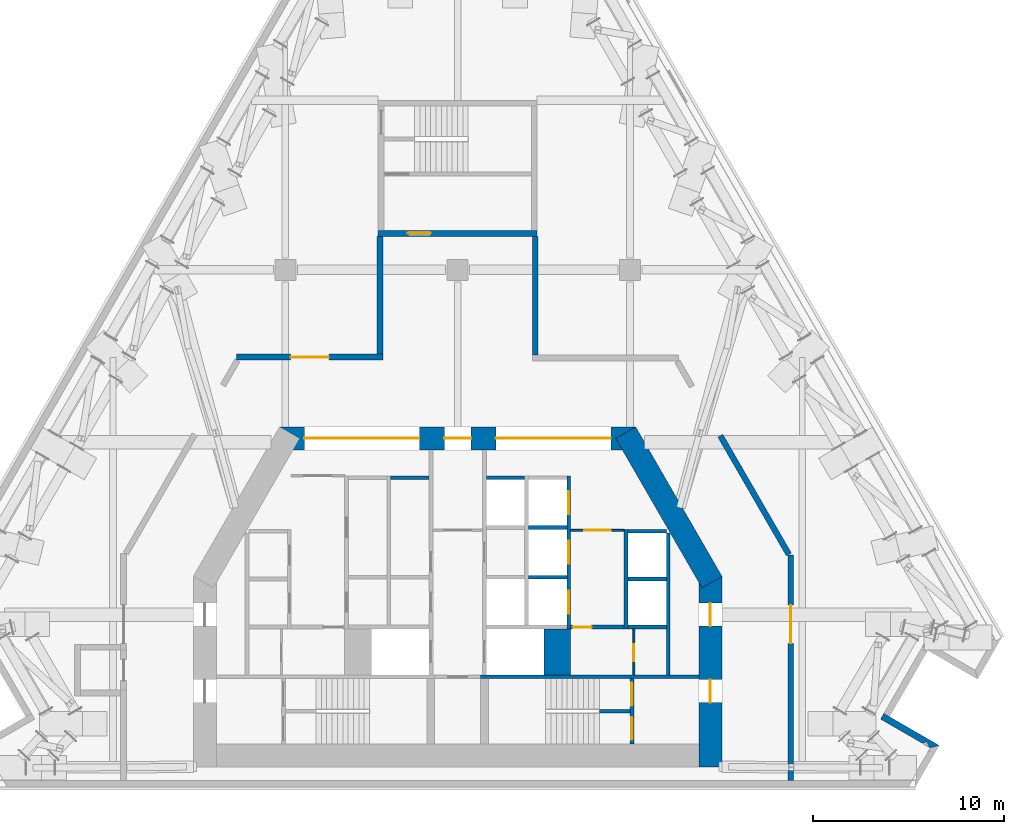
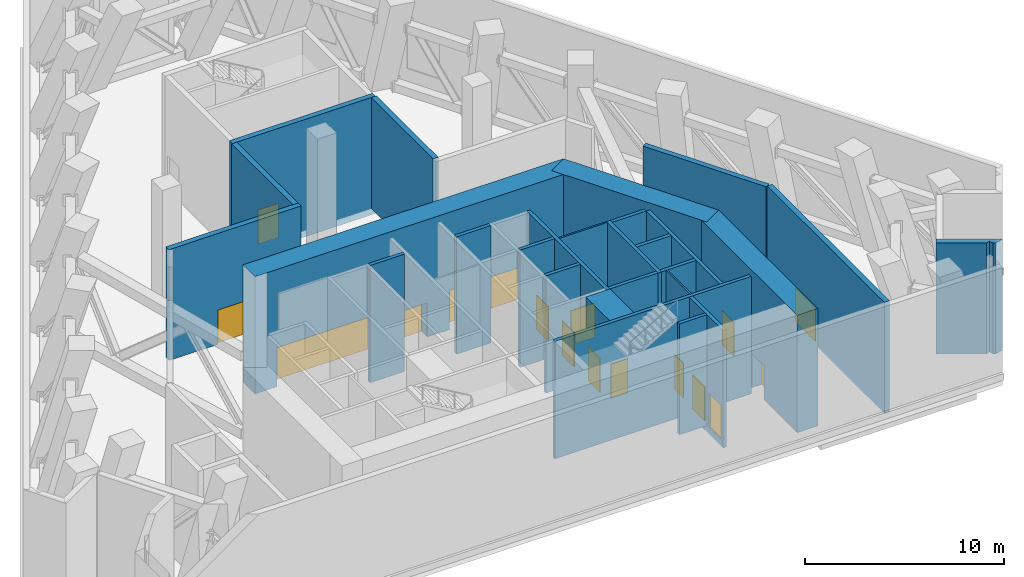
# One storey, part 7 of 13: 27 walls, 16 doors, 16 openings.
"""IFC4 building model written with IfcOpenShell, lengths in metres."""

from ifc_helpers import new_model, si_unit, direction, frame, frame_2d, origin, place, context, subcontext, project, spatial, polyline, rectangle, outline, extrude, material, layer, layer_set, type_object, element, fill, save


model = new_model("IFC4")

# Units and contexts
model_context = context("Model", 3, precision=1e-05, world=origin(), true_north=direction((0.0, 1.0)))
body_context = subcontext(model_context, "Body", "Model", "MODEL_VIEW")
ifc_project = project(units=[si_unit("LENGTHUNIT", "METRE"), si_unit("AREAUNIT", "SQUARE_METRE"), si_unit("VOLUMEUNIT", "CUBIC_METRE"), si_unit("PLANEANGLEUNIT", "RADIAN"), si_unit("MASSUNIT", "GRAM", prefix="KILO")], contexts=[model_context])

# Site, building, storey
site_placement = place(None, origin())
site = spatial("IfcSite", under=ifc_project, at=site_placement, CompositionType="ELEMENT")
building_placement = place(site_placement, origin())
building = spatial("IfcBuilding", under=site, at=building_placement, Name="Fogline Exchange Tower", CompositionType="ELEMENT")
storey_placement = place(building_placement, frame((0.0, 0.0, 174.89990234375)))
storey = spatial("IfcBuildingStorey", under=building, at=storey_placement, Name="L39", CompositionType="ELEMENT", Elevation=174.89990234375)

# Wall, opening, door
ifc_material_1 = material(Name="Blockwork partition", Category="masonry")
ifc_layer_1 = layer(ifc_material_1, 0.10009765625)
ifc_layer_set_1 = layer_set([ifc_layer_1], Name="CW10")
wall_type_1 = type_object("IfcWallType", Name="CW10", PredefinedType="PARTITIONING", material=ifc_layer_set_1)
wall_1_placement = place(storey_placement, frame((5.89990234375, 13.39990234375, 0.0), z_axis=(0.0, 0.0, 1.0), x_axis=(1.0, 0.0, 0.0)))
wall_1 = element("IfcWall", 1, at=wall_1_placement, inside=storey, type_object=wall_type_1, Name="Lift lobby partition", PredefinedType="PARTITIONING", context=body_context, shape_type="SweptSolid", body=[
    extrude(rectangle(XDim=2.800048828125, YDim=0.10009765625, at=frame_2d((1.39990234375, 0.0))), origin(), (0.0, 0.0, 1.0), 6.800048828125),
])
opening_1_placement = place(wall_1_placement, frame((0.699951171875, 0.0, 0.0)))
opening_1 = element("IfcOpeningElement", 2, at=opening_1_placement, cuts=wall_1, Name="Opening L39-C015", PredefinedType="OPENING", context=body_context, shape_type="SweptSolid", body=[
    extrude(rectangle(XDim=1.39990234375, YDim=2.10009765625, at=frame_2d((0.699951171875, 1.050048828125))), frame((0.0, 0.06005859375, 0.0), z_axis=(0.0, -1.0, 0.0), x_axis=(1.0, 0.0, 0.0)), (0.0, 0.0, 1.0), 0.1201171875),
])
ifc_material_2 = material(Name="Steel and timber fire door", Category="steel")
door_type_1 = type_object("IfcDoorType", Name="D-LB1", OperationType="DOUBLE_DOOR_SINGLE_SWING", PredefinedType="DOOR", material=ifc_material_2)
door_1_placement = place(opening_1_placement, frame((1.39990234375, 0.0, 0.0), z_axis=(0.0, 0.0, 1.0), x_axis=(-1.0, 0.0, 0.0)))
door_1 = element("IfcDoor", 3, at=door_1_placement, inside=storey, type_object=door_type_1, Name="Door to lift lobby", OperationType="DOUBLE_DOOR_SINGLE_SWING", OverallHeight=2.10009765625, OverallWidth=1.39990234375, PredefinedType="DOOR", context=body_context, shape_type="SweptSolid", body=[
    extrude(rectangle(XDim=1.39990234375, YDim=2.10009765625, at=frame_2d((0.699951171875, 1.050048828125))), frame((0.0, 0.02490234375, 0.0), z_axis=(0.0, -1.0, 0.0), x_axis=(1.0, 0.0, 0.0)), (0.0, 0.0, 1.0), 0.050048828125),
])
fill(opening_1, door_1)

wall_2_placement = place(storey_placement, frame((9.199951171875, 5.85009765625, 0.0), z_axis=(0.0, 0.0, 1.0), x_axis=(0.0, 1.0, 0.0)))
wall_2 = element("IfcWall", 4, at=wall_2_placement, inside=storey, type_object=wall_type_1, Name="WC partition", PredefinedType="PARTITIONING", context=body_context, shape_type="SweptSolid", body=[
    extrude(rectangle(XDim=2.39990234375, YDim=0.10009765625, at=frame_2d((1.199951171875, 0.0))), origin(), (0.0, 0.0, 1.0), 6.800048828125),
])
opening_2_placement = place(wall_2_placement, frame((0.699951171875, 0.0, 0.0)))
opening_2 = element("IfcOpeningElement", 5, at=opening_2_placement, cuts=wall_2, Name="Opening L39-C017", PredefinedType="OPENING", context=body_context, shape_type="SweptSolid", body=[
    extrude(rectangle(XDim=0.89990234375, YDim=2.10009765625, at=frame_2d((0.449951171875, 1.050048828125))), frame((0.0, 0.06005859375, 0.0), z_axis=(0.0, -1.0, 0.0), x_axis=(1.0, 0.0, 0.0)), (0.0, 0.0, 1.0), 0.1201171875),
])
door_type_2 = type_object("IfcDoorType", Name="D-CS1", OperationType="SINGLE_SWING_RIGHT", PredefinedType="DOOR", material=ifc_material_2)
door_2_placement = place(opening_2_placement, frame((0.89990234375, 0.0, 0.0), z_axis=(0.0, 0.0, 1.0), x_axis=(-1.0, 0.0, 0.0)))
door_2 = element("IfcDoor", 6, at=door_2_placement, inside=storey, type_object=door_type_2, Name="Door to AHU Room", OperationType="SINGLE_SWING_RIGHT", OverallHeight=2.10009765625, OverallWidth=0.89990234375, PredefinedType="DOOR", context=body_context, shape_type="SweptSolid", body=[
    extrude(rectangle(XDim=0.89990234375, YDim=2.10009765625, at=frame_2d((0.449951171875, 1.050048828125))), frame((0.0, 0.02490234375, 0.0), z_axis=(0.0, -1.0, 0.0), x_axis=(1.0, 0.0, 0.0)), (0.0, 0.0, 1.0), 0.050048828125),
])
fill(opening_2, door_2)

# Walls
ifc_material_3 = material(Name="Concrete C60", Category="concrete")
ifc_layer_2 = layer(ifc_material_3, 1.39990234375)
ifc_layer_set_2 = layer_set([ifc_layer_2], Name="CW140")
wall_type_2 = type_object("IfcWallType", Name="CW140", PredefinedType="SOLIDWALL", material=ifc_layer_set_2)
wall_3_placement = place(storey_placement, frame((5.199951171875, 5.85009765625, -0.39990234375), z_axis=(0.0, 0.0, 1.0), x_axis=(0.0, 1.0, 0.0)))
element("IfcWall", 7, at=wall_3_placement, inside=storey, type_object=wall_type_2, Name="Lift shaft block wall", PredefinedType="SOLIDWALL", context=body_context, shape_type="SweptSolid", body=[
    extrude(rectangle(XDim=2.39990234375, YDim=1.39990234375, at=frame_2d((1.199951171875, 0.0))), origin(), (0.0, 0.0, 1.0), 7.199951171875),
])
ifc_material_4 = material(Name="Concrete C40", Category="concrete")
ifc_layer_3 = layer(ifc_material_4, 0.199951171875)
ifc_layer_set_3 = layer_set([ifc_layer_3], Name="CW20")
wall_type_3 = type_object("IfcWallType", Name="CW20", PredefinedType="SOLIDWALL", material=ifc_layer_set_3)
wall_4_placement = place(storey_placement, frame((11.0, 5.85009765625, 0.0), z_axis=(0.0, 0.0, 1.0), x_axis=(0.0, 1.0, 0.0)))
element("IfcWall", 8, at=wall_4_placement, inside=storey, type_object=wall_type_3, Name="Service room wall", PredefinedType="SOLIDWALL", context=body_context, shape_type="SweptSolid", body=[
    extrude(rectangle(XDim=7.39990234375, YDim=0.199951171875, at=frame_2d((3.699951171875, 0.0))), origin(), (0.0, 0.0, 1.0), 6.800048828125),
])

# Wall, opening, door
wall_5_placement = place(storey_placement, frame((5.89990234375, 8.35009765625, 0.0), z_axis=(0.0, 0.0, 1.0), x_axis=(1.0, 0.0, 0.0)))
wall_5 = element("IfcWall", 9, at=wall_5_placement, inside=storey, type_object=wall_type_3, Name="WC wall", PredefinedType="SOLIDWALL", context=body_context, shape_type="SweptSolid", body=[
    extrude(rectangle(XDim=2.800048828125, YDim=0.199951171875, at=frame_2d((1.39990234375, 0.0))), origin(), (0.0, 0.0, 1.0), 6.800048828125),
])
opening_3_placement = place(wall_5_placement, frame((0.10009765625, 0.0, 0.0)))
opening_3 = element("IfcOpeningElement", 10, at=opening_3_placement, cuts=wall_5, Name="Opening L39-C016", PredefinedType="OPENING", context=body_context, shape_type="SweptSolid", body=[
    extrude(rectangle(XDim=1.0, YDim=2.10009765625, at=frame_2d((0.5, 1.050048828125))), frame((0.0, 0.10986328125, 0.0), z_axis=(0.0, -1.0, 0.0), x_axis=(1.0, 0.0, 0.0)), (0.0, 0.0, 1.0), 0.219970703125),
])
door_type_3 = type_object("IfcDoorType", Name="D-WC1", OperationType="SINGLE_SWING_LEFT", PredefinedType="DOOR", material=ifc_material_2)
door_3_placement = place(opening_3_placement, frame((1.0, 0.0, 0.0), z_axis=(0.0, 0.0, 1.0), x_axis=(-1.0, 0.0, 0.0)))
door_3 = element("IfcDoor", 11, at=door_3_placement, inside=storey, type_object=door_type_3, Name="Door to Women's WC", OperationType="SINGLE_SWING_RIGHT", OverallHeight=2.10009765625, OverallWidth=1.0, PredefinedType="DOOR", context=body_context, shape_type="SweptSolid", body=[
    extrude(rectangle(XDim=1.0, YDim=2.10009765625, at=frame_2d((0.5, 1.050048828125))), frame((0.0, 0.02490234375, 0.0), z_axis=(0.0, -1.0, 0.0), x_axis=(1.0, 0.0, 0.0)), (0.0, 0.0, 1.0), 0.050048828125),
])
fill(opening_3, door_3)

# Walls
ifc_layer_4 = layer(ifc_material_4, 0.199951171875)
ifc_layer_set_4 = layer_set([ifc_layer_4], Name="CW20B")
wall_type_4 = type_object("IfcWallType", Name="CW20B", PredefinedType="SOLIDWALL", material=ifc_layer_set_4)
wall_6_placement = place(storey_placement, frame((7.39990234375, 3.949951171875, 0.0), z_axis=(0.0, 0.0, 1.0), x_axis=(1.0, 0.0, 0.0)))
element("IfcWall", 12, at=wall_6_placement, inside=storey, type_object=wall_type_4, Name="Stair separation wall", PredefinedType="SOLIDWALL", context=body_context, shape_type="SweptSolid", body=[
    extrude(rectangle(XDim=1.60009765625, YDim=0.199951171875, at=frame_2d((0.800048828125, 0.0))), origin(), (0.0, 0.0, 1.0), 6.800048828125),
])
ifc_layer_5 = layer(ifc_material_4, 0.199951171875)
ifc_layer_set_5 = layer_set([ifc_layer_5], Name="CW20R")
wall_type_5 = type_object("IfcWallType", Name="CW20R", PredefinedType="SOLIDWALL", material=ifc_layer_set_5)
wall_7_placement = place(storey_placement, frame((1.199951171875, 5.75, -0.39990234375), z_axis=(0.0, 0.0, 1.0), x_axis=(1.0, 0.0, 0.0)))
element("IfcWall", 13, at=wall_7_placement, inside=storey, type_object=wall_type_5, Name="Stair enclosure wall", PredefinedType="SOLIDWALL", context=body_context, shape_type="SweptSolid", body=[
    extrude(rectangle(XDim=11.400146484375, YDim=0.199951171875, at=frame_2d((5.7001953125, 0.0))), origin(), (0.0, 0.0, 1.0), 7.199951171875),
])

# Wall, openings, doors
wall_8_placement = place(storey_placement, frame((9.10009765625, 2.25, -0.39990234375), z_axis=(0.0, 0.0, 1.0), x_axis=(0.0, 1.0, 0.0)))
wall_8 = element("IfcWall", 14, at=wall_8_placement, inside=storey, type_object=wall_type_5, Name="Stair enclosure wall", PredefinedType="SOLIDWALL", context=body_context, shape_type="SweptSolid", body=[
    extrude(rectangle(XDim=3.39990234375, YDim=0.199951171875, at=frame_2d((1.699951171875, 0.0))), origin(), (0.0, 0.0, 1.0), 7.199951171875),
])
opening_4_placement = place(wall_8_placement, frame((0.199951171875, 0.0, 0.39990234375)))
opening_4 = element("IfcOpeningElement", 15, at=opening_4_placement, cuts=wall_8, Name="Opening L39-C019", PredefinedType="OPENING", context=body_context, shape_type="SweptSolid", body=[
    extrude(rectangle(XDim=1.199951171875, YDim=2.10009765625, at=frame_2d((0.60009765625, 1.050048828125))), frame((0.0, 0.10986328125, 0.0), z_axis=(0.0, -1.0, 0.0), x_axis=(1.0, 0.0, 0.0)), (0.0, 0.0, 1.0), 0.219970703125),
])
opening_5_placement = place(wall_8_placement, frame((2.0, 0.0, 0.39990234375)))
opening_5 = element("IfcOpeningElement", 16, at=opening_5_placement, cuts=wall_8, Name="Opening L39-C026", PredefinedType="OPENING", context=body_context, shape_type="SweptSolid", body=[
    extrude(rectangle(XDim=1.199951171875, YDim=2.10009765625, at=frame_2d((0.60009765625, 1.050048828125))), frame((0.0, 0.10986328125, 0.0), z_axis=(0.0, -1.0, 0.0), x_axis=(1.0, 0.0, 0.0)), (0.0, 0.0, 1.0), 0.219970703125),
])
door_type_4 = type_object("IfcDoorType", Name="D-ST1", OperationType="SINGLE_SWING_LEFT", PredefinedType="DOOR", material=ifc_material_2)
door_4_placement = place(opening_4_placement, origin())
door_4 = element("IfcDoor", 17, at=door_4_placement, inside=storey, type_object=door_type_4, Name="Stair door ST2", OperationType="SINGLE_SWING_LEFT", OverallHeight=2.10009765625, OverallWidth=1.199951171875, PredefinedType="DOOR", context=body_context, shape_type="SweptSolid", body=[
    extrude(rectangle(XDim=1.199951171875, YDim=2.10009765625, at=frame_2d((0.60009765625, 1.050048828125))), frame((0.0, 0.02490234375, 0.0), z_axis=(0.0, -1.0, 0.0), x_axis=(1.0, 0.0, 0.0)), (0.0, 0.0, 1.0), 0.050048828125),
])
fill(opening_4, door_4)
door_5_placement = place(opening_5_placement, frame((1.199951171875, 0.0, 0.0), z_axis=(0.0, 0.0, 1.0), x_axis=(-1.0, 0.0, 0.0)))
door_5 = element("IfcDoor", 18, at=door_5_placement, inside=storey, type_object=door_type_4, Name="Stair arrival door ST2", OperationType="SINGLE_SWING_LEFT", OverallHeight=2.10009765625, OverallWidth=1.199951171875, PredefinedType="DOOR", context=body_context, shape_type="SweptSolid", body=[
    extrude(rectangle(XDim=1.199951171875, YDim=2.10009765625, at=frame_2d((0.60009765625, 1.050048828125))), frame((0.0, 0.02490234375, 0.0), z_axis=(0.0, -1.0, 0.0), x_axis=(1.0, 0.0, 0.0)), (0.0, 0.0, 1.0), 0.050048828125),
])
fill(opening_5, door_5)

# Wall
ifc_layer_6 = layer(ifc_material_4, 0.199951171875)
ifc_layer_set_6 = layer_set([ifc_layer_6], Name="CW20S")
wall_type_6 = type_object("IfcWallType", Name="CW20S", PredefinedType="SOLIDWALL", material=ifc_layer_set_6)
wall_9_placement = place(storey_placement, frame((8.800048828125, 8.25, -0.39990234375), z_axis=(0.0, 0.0, 1.0), x_axis=(0.0, 1.0, 0.0)))
element("IfcWall", 19, at=wall_9_placement, inside=storey, type_object=wall_type_6, Name="Lift shaft wall", PredefinedType="SOLIDWALL", context=body_context, shape_type="SweptSolid", body=[
    extrude(rectangle(XDim=5.199951171875, YDim=0.199951171875, at=frame_2d((2.60009765625, 0.0))), origin(), (0.0, 0.0, 1.0), 7.199951171875),
])

# Wall, openings, doors
wall_10_placement = place(storey_placement, frame((5.800048828125, 8.25, -0.39990234375), z_axis=(0.0, 0.0, 1.0), x_axis=(0.0, 1.0, 0.0)))
wall_10 = element("IfcWall", 20, at=wall_10_placement, inside=storey, type_object=wall_type_6, Name="Lift shaft wall", PredefinedType="SOLIDWALL", context=body_context, shape_type="SweptSolid", body=[
    extrude(rectangle(XDim=8.0, YDim=0.199951171875, at=frame_2d((4.0, 0.0))), origin(), (0.0, 0.0, 1.0), 7.199951171875),
])
opening_6_placement = place(wall_10_placement, frame((0.800048828125, 0.0, 0.39990234375)))
opening_6 = element("IfcOpeningElement", 21, at=opening_6_placement, cuts=wall_10, Name="Opening L39-LD02", PredefinedType="OPENING", context=body_context, shape_type="SweptSolid", body=[
    extrude(rectangle(XDim=1.199951171875, YDim=2.10009765625, at=frame_2d((0.60009765625, 1.050048828125))), frame((0.0, 0.10986328125, 0.0), z_axis=(0.0, -1.0, 0.0), x_axis=(1.0, 0.0, 0.0)), (0.0, 0.0, 1.0), 0.219970703125),
])
opening_7_placement = place(wall_10_placement, frame((3.39990234375, 0.0, 0.39990234375)))
opening_7 = element("IfcOpeningElement", 22, at=opening_7_placement, cuts=wall_10, Name="Opening L39-LD03", PredefinedType="OPENING", context=body_context, shape_type="SweptSolid", body=[
    extrude(rectangle(XDim=1.199951171875, YDim=2.10009765625, at=frame_2d((0.60009765625, 1.050048828125))), frame((0.0, 0.10986328125, 0.0), z_axis=(0.0, -1.0, 0.0), x_axis=(1.0, 0.0, 0.0)), (0.0, 0.0, 1.0), 0.219970703125),
])
opening_8_placement = place(wall_10_placement, frame((6.0, 0.0, 0.39990234375)))
opening_8 = element("IfcOpeningElement", 23, at=opening_8_placement, cuts=wall_10, Name="Opening L39-LD04", PredefinedType="OPENING", context=body_context, shape_type="SweptSolid", body=[
    extrude(rectangle(XDim=1.199951171875, YDim=2.10009765625, at=frame_2d((0.60009765625, 1.050048828125))), frame((0.0, 0.10986328125, 0.0), z_axis=(0.0, -1.0, 0.0), x_axis=(1.0, 0.0, 0.0)), (0.0, 0.0, 1.0), 0.219970703125),
])
door_type_5 = type_object("IfcDoorType", Name="LD1", OperationType="SLIDING_TO_LEFT", PredefinedType="DOOR", material=ifc_material_2)
door_6_placement = place(opening_6_placement, origin())
door_6 = element("IfcDoor", 24, at=door_6_placement, inside=storey, type_object=door_type_5, Name="Landing door MR1", OperationType="SLIDING_TO_LEFT", OverallHeight=2.10009765625, OverallWidth=1.199951171875, PredefinedType="DOOR", context=body_context, shape_type="SweptSolid", body=[
    extrude(rectangle(XDim=1.199951171875, YDim=2.10009765625, at=frame_2d((0.60009765625, 1.050048828125))), frame((0.0, 0.02490234375, 0.0), z_axis=(0.0, -1.0, 0.0), x_axis=(1.0, 0.0, 0.0)), (0.0, 0.0, 1.0), 0.050048828125),
])
fill(opening_6, door_6)
door_7_placement = place(opening_7_placement, origin())
door_7 = element("IfcDoor", 25, at=door_7_placement, inside=storey, type_object=door_type_5, Name="Landing door MR2", OperationType="SLIDING_TO_LEFT", OverallHeight=2.10009765625, OverallWidth=1.199951171875, PredefinedType="DOOR", context=body_context, shape_type="SweptSolid", body=[
    extrude(rectangle(XDim=1.199951171875, YDim=2.10009765625, at=frame_2d((0.60009765625, 1.050048828125))), frame((0.0, 0.02490234375, 0.0), z_axis=(0.0, -1.0, 0.0), x_axis=(1.0, 0.0, 0.0)), (0.0, 0.0, 1.0), 0.050048828125),
])
fill(opening_7, door_7)
door_8_placement = place(opening_8_placement, origin())
door_8 = element("IfcDoor", 26, at=door_8_placement, inside=storey, type_object=door_type_5, Name="Landing door MR3", OperationType="SLIDING_TO_LEFT", OverallHeight=2.10009765625, OverallWidth=1.199951171875, PredefinedType="DOOR", context=body_context, shape_type="SweptSolid", body=[
    extrude(rectangle(XDim=1.199951171875, YDim=2.10009765625, at=frame_2d((0.60009765625, 1.050048828125))), frame((0.0, 0.02490234375, 0.0), z_axis=(0.0, -1.0, 0.0), x_axis=(1.0, 0.0, 0.0)), (0.0, 0.0, 1.0), 0.050048828125),
])
fill(opening_8, door_8)

# Walls
for number, where, z_axis, x_axis, name in (
    (27, (8.89990234375, 8.35009765625, -0.39990234375), (0.0, 0.0, 1.0), (1.0, 0.0, 0.0), "Lift shaft wall"),
    (28, (-3.5, 16.14990234375, -0.39990234375), (0.0, 0.0, 1.0), (1.0, 0.0, 0.0), "Lift shaft wall"),
    (29, (8.89990234375, 10.85009765625, -0.39990234375), (0.0, 0.0, 1.0), (1.0, 0.0, 0.0), "Lift shaft wall"),
    (30, (8.89990234375, 13.35009765625, -0.39990234375), (0.0, 0.0, 1.0), (1.0, 0.0, 0.0), "Lift shaft wall"),
    (31, (3.699951171875, 10.949951171875, -0.39990234375), (0.0, 0.0, 1.0), (1.0, 0.0, 0.0), "Lift shaft wall"),
    (32, (3.699951171875, 13.550048828125, -0.39990234375), (0.0, 0.0, 1.0), (1.0, 0.0, 0.0), "Lift shaft wall"),
    (33, (1.5, 16.14990234375, -0.39990234375), (0.0, 0.0, 1.0), (1.0, 0.0, 0.0), "Lift shaft wall"),
):
    element("IfcWall", number, at=place(storey_placement, frame(where, z_axis=z_axis, x_axis=x_axis)), inside=storey, type_object=wall_type_6, Name=name, PredefinedType="SOLIDWALL", context=body_context, shape_type="SweptSolid", body=[
        extrude(rectangle(XDim=2.0, YDim=0.199951171875, at=frame_2d((1.0, 0.0))), origin(), (0.0, 0.0, 1.0), 7.199951171875),
    ])

# Wall, opening, door
ifc_layer_7 = layer(ifc_material_4, 0.300048828125)
ifc_layer_set_7 = layer_set([ifc_layer_7], Name="CW30")
wall_type_7 = type_object("IfcWallType", Name="CW30", PredefinedType="SOLIDWALL", material=ifc_layer_set_7)
wall_11_placement = place(storey_placement, frame((-4.14990234375, 28.906982421875, -0.39990234375), z_axis=(0.0, 0.0, 1.0), x_axis=(1.0, 0.0, 0.0)))
wall_11 = element("IfcWall", 34, at=wall_11_placement, inside=storey, type_object=wall_type_7, Name="Stair enclosure wall ST3", PredefinedType="SOLIDWALL", context=body_context, shape_type="SweptSolid", body=[
    extrude(rectangle(XDim=8.2998046875, YDim=0.300048828125, at=frame_2d((4.14990234375, 0.0))), origin(), (0.0, 0.0, 1.0), 7.199951171875),
])
opening_9_placement = place(wall_11_placement, frame((1.550048828125, 0.0, 0.39990234375)))
opening_9 = element("IfcOpeningElement", 35, at=opening_9_placement, cuts=wall_11, Name="Opening L39-C027", PredefinedType="OPENING", context=body_context, shape_type="SweptSolid", body=[
    extrude(rectangle(XDim=1.199951171875, YDim=2.10009765625, at=frame_2d((0.60009765625, 1.050048828125))), frame((0.0, 0.16015625, 0.0), z_axis=(0.0, -1.0, 0.0), x_axis=(1.0, 0.0, 0.0)), (0.0, 0.0, 1.0), 0.320068359375),
])
door_type_6 = type_object("IfcDoorType", Name="D-FR1", OperationType="SINGLE_SWING_RIGHT", PredefinedType="DOOR", material=ifc_material_2)
door_9_placement = place(opening_9_placement, origin())
door_9 = element("IfcDoor", 36, at=door_9_placement, inside=storey, type_object=door_type_6, Name="Front room door ST3", OperationType="SINGLE_SWING_LEFT", OverallHeight=2.10009765625, OverallWidth=1.199951171875, PredefinedType="DOOR", context=body_context, shape_type="SweptSolid", body=[
    extrude(rectangle(XDim=1.199951171875, YDim=2.10009765625, at=frame_2d((0.60009765625, 1.050048828125))), frame((0.0, 0.02490234375, 0.0), z_axis=(0.0, -1.0, 0.0), x_axis=(1.0, 0.0, 0.0)), (0.0, 0.0, 1.0), 0.050048828125),
])
fill(opening_9, door_9)

# Wall
ifc_material_5 = material(Name="Brick masonry", Category="masonry")
ifc_layer_8 = layer(ifc_material_5, 0.340087890625)
ifc_layer_set_8 = layer_set([ifc_layer_8], Name="FW3")
wall_type_8 = type_object("IfcWallType", Name="FW3", PredefinedType="SOLIDWALL", material=ifc_layer_set_8)
wall_12_placement = place(storey_placement, origin())
element("IfcWall", 37, at=wall_12_placement, inside=storey, type_object=wall_type_8, Name="Brick wall L39 SE-s1", PredefinedType="SOLIDWALL", context=body_context, shape_type="SweptSolid", body=[
    extrude(outline(polyline([(22.260986328125, 3.8359375), (22.555908203125, 3.66552734375), (25.155029296875, 2.1650390625), (25.15478515625, 2.164794921875), (24.689208984375, 2.0400390625), (24.58056640625, 2.1025390625), (24.5048828125, 2.341796875), (24.2861328125, 2.272705078125), (22.09033203125, 3.540283203125), (22.260986328125, 3.8359375)])), origin(), (0.0, 0.0, 1.0), 6.800048828125),
])

# Wall, opening, door
ifc_layer_9 = layer(ifc_material_4, 0.300048828125)
ifc_layer_set_9 = layer_set([ifc_layer_9], Name="PP4")
wall_type_9 = type_object("IfcWallType", Name="PP4", PredefinedType="SOLIDWALL", material=ifc_layer_set_9)
wall_13_placement = place(storey_placement, frame((17.39990234375, 12.113525390625, 0.0), z_axis=(0.0, 0.0, 1.0), x_axis=(0.0, -1.0, 0.0)))
wall_13 = element("IfcWall", 38, at=wall_13_placement, inside=storey, type_object=wall_type_9, Name="PP4 partition", PredefinedType="SOLIDWALL", context=body_context, shape_type="SweptSolid", body=[
    extrude(rectangle(XDim=11.7734375, YDim=0.300048828125, at=frame_2d((5.88671875, 0.0))), origin(), (0.0, 0.0, 1.0), 6.800048828125),
])
opening_10_placement = place(wall_13_placement, frame((2.613525390625, 0.0, 0.0)))
opening_10 = element("IfcOpeningElement", 39, at=opening_10_placement, cuts=wall_13, Name="Opening L39-D004", PredefinedType="OPENING", context=body_context, shape_type="SweptSolid", body=[
    extrude(rectangle(XDim=2.0, YDim=2.10009765625, at=frame_2d((1.0, 1.050048828125))), frame((0.0, 0.16015625, 0.0), z_axis=(0.0, -1.0, 0.0), x_axis=(1.0, 0.0, 0.0)), (0.0, 0.0, 1.0), 0.320068359375),
])
ifc_material_6 = material(Name="Steel Q235B", Category="steel")
door_type_7 = type_object("IfcDoorType", Name="PD6", OperationType="DOUBLE_DOOR_SINGLE_SWING", PredefinedType="DOOR", material=ifc_material_6)
door_10_placement = place(opening_10_placement, frame((2.0, 0.0, 0.0), z_axis=(0.0, 0.0, 1.0), x_axis=(-1.0, 0.0, 0.0)))
door_10 = element("IfcDoor", 40, at=door_10_placement, inside=storey, type_object=door_type_7, Name="L39-D004", OperationType="DOUBLE_DOOR_SINGLE_SWING", OverallHeight=2.10009765625, OverallWidth=2.0, PredefinedType="DOOR", context=body_context, shape_type="SweptSolid", body=[
    extrude(rectangle(XDim=2.0, YDim=2.10009765625, at=frame_2d((1.0, 1.050048828125))), frame((0.0, 0.02490234375, 0.0), z_axis=(0.0, -1.0, 0.0), x_axis=(1.0, 0.0, 0.0)), (0.0, 0.0, 1.0), 0.050048828125),
])
fill(opening_10, door_10)

wall_14_placement = place(storey_placement, frame((-11.553466796875, 22.449951171875, 0.0), z_axis=(0.0, 0.0, 1.0), x_axis=(1.0, 0.0, 0.0)))
wall_14 = element("IfcWall", 41, at=wall_14_placement, inside=storey, type_object=wall_type_9, Name="PP4 partition", PredefinedType="SOLIDWALL", context=body_context, shape_type="SweptSolid", body=[
    extrude(rectangle(XDim=7.653564453125, YDim=0.300048828125, at=frame_2d((3.82666015625, 0.0))), origin(), (0.0, 0.0, 1.0), 6.800048828125),
])
opening_11_placement = place(wall_14_placement, frame((2.82666015625, 0.0, 0.0)))
opening_11 = element("IfcOpeningElement", 42, at=opening_11_placement, cuts=wall_14, Name="Opening L39-D002", PredefinedType="OPENING", context=body_context, shape_type="SweptSolid", body=[
    extrude(rectangle(XDim=2.0, YDim=2.10009765625, at=frame_2d((1.0, 1.050048828125))), frame((0.0, 0.16015625, 0.0), z_axis=(0.0, -1.0, 0.0), x_axis=(1.0, 0.0, 0.0)), (0.0, 0.0, 1.0), 0.320068359375),
])
door_11_placement = place(opening_11_placement, frame((2.0, 0.0, 0.0), z_axis=(0.0, 0.0, 1.0), x_axis=(-1.0, 0.0, 0.0)))
door_11 = element("IfcDoor", 43, at=door_11_placement, inside=storey, type_object=door_type_7, Name="L39-D002", OperationType="DOUBLE_DOOR_SINGLE_SWING", OverallHeight=2.10009765625, OverallWidth=2.0, PredefinedType="DOOR", context=body_context, shape_type="SweptSolid", body=[
    extrude(rectangle(XDim=2.0, YDim=2.10009765625, at=frame_2d((1.0, 1.050048828125))), frame((0.0, 0.02490234375, 0.0), z_axis=(0.0, -1.0, 0.0), x_axis=(1.0, 0.0, 0.0)), (0.0, 0.0, 1.0), 0.050048828125),
])
fill(opening_11, door_11)

# Walls
wall_15_placement = place(storey_placement, frame((13.718017578125, 18.341064453125, 0.0), z_axis=(0.0, 0.0, 1.0), x_axis=(0.500004857339, -0.86602259938, 0.0)))
element("IfcWall", 44, at=wall_15_placement, inside=storey, type_object=wall_type_9, Name="PP4 partition", PredefinedType="SOLIDWALL", context=body_context, shape_type="SweptSolid", body=[
    extrude(rectangle(XDim=7.1591796875, YDim=0.300048828125, at=frame_2d((3.57958984375, 0.0))), origin(), (0.0, 0.0, 1.0), 6.800048828125),
])
wall_16_placement = place(storey_placement, frame((4.050048828125, 28.757080078125, 0.0), z_axis=(0.0, 0.0, 1.0), x_axis=(0.0, -1.0, 0.0)))
element("IfcWall", 45, at=wall_16_placement, inside=storey, type_object=wall_type_9, Name="PP4 partition", PredefinedType="SOLIDWALL", context=body_context, shape_type="SweptSolid", body=[
    extrude(rectangle(XDim=6.20703125, YDim=0.300048828125, at=frame_2d((3.103515625, 0.0))), origin(), (0.0, 0.0, 1.0), 6.800048828125),
])
wall_17_placement = place(storey_placement, frame((-4.050048828125, 22.60009765625, 0.0), z_axis=(0.0, 0.0, 1.0), x_axis=(0.0, 1.0, 0.0)))
element("IfcWall", 46, at=wall_17_placement, inside=storey, type_object=wall_type_9, Name="PP4 partition", PredefinedType="SOLIDWALL", context=body_context, shape_type="SweptSolid", body=[
    extrude(rectangle(XDim=6.156982421875, YDim=0.300048828125, at=frame_2d((3.07861328125, 0.0))), origin(), (0.0, 0.0, 1.0), 6.800048828125),
])

# Wall, openings, doors
ifc_layer_10 = layer(ifc_material_3, 1.199951171875)
ifc_layer_set_10 = layer_set([ifc_layer_10], Name="SW02")
wall_type_10 = type_object("IfcWallType", Name="SW02", PredefinedType="SHEAR", material=ifc_layer_set_10)
wall_18_placement = place(storey_placement, frame((13.199951171875, 1.050048828125, 0.0), z_axis=(0.0, 0.0, 1.0), x_axis=(0.0, 1.0, 0.0)))
wall_18 = element("IfcWall", 47, at=wall_18_placement, inside=storey, type_object=wall_type_10, Name="L39-W902", PredefinedType="SHEAR", context=body_context, shape_type="SweptSolid", body=[
    extrude(rectangle(XDim=9.948974609375, YDim=1.199951171875, at=frame_2d((4.974609375, 0.0))), origin(), (0.0, 0.0, 1.0), 7.2001953125),
])
opening_12_placement = place(wall_18_placement, frame((3.35009765625, 0.0, 0.0)))
opening_12 = element("IfcOpeningElement", 48, at=opening_12_placement, cuts=wall_18, Name="Opening L39-C018", PredefinedType="OPENING", context=body_context, shape_type="SweptSolid", body=[
    extrude(rectangle(XDim=1.199951171875, YDim=2.10009765625, at=frame_2d((0.60009765625, 1.050048828125))), frame((0.0, 0.60986328125, 0.0), z_axis=(0.0, -1.0, 0.0), x_axis=(1.0, 0.0, 0.0)), (0.0, 0.0, 1.0), 1.219970703125),
])
opening_13_placement = place(wall_18_placement, frame((7.35009765625, 0.0, 0.0)))
opening_13 = element("IfcOpeningElement", 49, at=opening_13_placement, cuts=wall_18, Name="Opening L39-C020", PredefinedType="OPENING", context=body_context, shape_type="SweptSolid", body=[
    extrude(rectangle(XDim=1.199951171875, YDim=2.10009765625, at=frame_2d((0.60009765625, 1.050048828125))), frame((0.0, 0.60986328125, 0.0), z_axis=(0.0, -1.0, 0.0), x_axis=(1.0, 0.0, 0.0)), (0.0, 0.0, 1.0), 1.219970703125),
])
door_12_placement = place(opening_12_placement, origin())
door_12 = element("IfcDoor", 50, at=door_12_placement, inside=storey, type_object=door_type_6, Name="Front room door ST2", OperationType="SINGLE_SWING_RIGHT", OverallHeight=2.10009765625, OverallWidth=1.199951171875, PredefinedType="DOOR", context=body_context, shape_type="SweptSolid", body=[
    extrude(rectangle(XDim=1.199951171875, YDim=2.10009765625, at=frame_2d((0.60009765625, 1.050048828125))), frame((0.0, 0.02490234375, 0.0), z_axis=(0.0, -1.0, 0.0), x_axis=(1.0, 0.0, 0.0)), (0.0, 0.0, 1.0), 0.050048828125),
])
fill(opening_12, door_12)
door_type_8 = type_object("IfcDoorType", Name="D-SV1", OperationType="SINGLE_SWING_LEFT", PredefinedType="DOOR", material=ifc_material_2)
door_13_placement = place(opening_13_placement, origin())
door_13 = element("IfcDoor", 51, at=door_13_placement, inside=storey, type_object=door_type_8, Name="Service door E", OperationType="SINGLE_SWING_RIGHT", OverallHeight=2.10009765625, OverallWidth=1.199951171875, PredefinedType="DOOR", context=body_context, shape_type="SweptSolid", body=[
    extrude(rectangle(XDim=1.199951171875, YDim=2.10009765625, at=frame_2d((0.60009765625, 1.050048828125))), frame((0.0, 0.02490234375, 0.0), z_axis=(0.0, -1.0, 0.0), x_axis=(1.0, 0.0, 0.0)), (0.0, 0.0, 1.0), 0.050048828125),
])
fill(opening_13, door_13)

# Wall
wall_19_placement = place(storey_placement, frame((13.280517578125, 10.698974609375, 0.0), z_axis=(0.0, 0.0, 1.0), x_axis=(-0.499998513025, 0.866026262288, 0.0)))
element("IfcWall", 52, at=wall_19_placement, inside=storey, type_object=wall_type_10, Name="L39-W903", PredefinedType="SHEAR", context=body_context, shape_type="SweptSolid", body=[
    extrude(rectangle(XDim=9.0078125, YDim=1.199951171875, at=frame_2d((4.50390625, 0.0))), origin(), (0.0, 0.0, 1.0), 7.2001953125),
])

# Wall, openings, doors
wall_20_placement = place(storey_placement, frame((9.296142578125, 18.199951171875, 0.0), z_axis=(0.0, 0.0, 1.0), x_axis=(-1.0, 0.0, 0.0)))
wall_20 = element("IfcWall", 53, at=wall_20_placement, inside=storey, type_object=wall_type_10, Name="L39-W904", PredefinedType="SHEAR", context=body_context, shape_type="SweptSolid", body=[
    extrude(rectangle(XDim=18.59228515625, YDim=1.199951171875, at=frame_2d((9.296142578125, 0.0))), origin(), (0.0, 0.0, 1.0), 7.2001953125),
])
opening_14_placement = place(wall_20_placement, frame((8.59619140625, 0.0, 0.0)))
opening_14 = element("IfcOpeningElement", 54, at=opening_14_placement, cuts=wall_20, Name="Opening L39-C022", PredefinedType="OPENING", context=body_context, shape_type="SweptSolid", body=[
    extrude(rectangle(XDim=1.39990234375, YDim=2.10009765625, at=frame_2d((0.699951171875, 1.050048828125))), frame((0.0, 0.60986328125, 0.0), z_axis=(0.0, -1.0, 0.0), x_axis=(1.0, 0.0, 0.0)), (0.0, 0.0, 1.0), 1.219970703125),
])
opening_15_placement = place(wall_20_placement, frame((11.296142578125, 0.0, 0.0)))
opening_15 = element("IfcOpeningElement", 55, at=opening_15_placement, cuts=wall_20, Name="Opening L39-C023", PredefinedType="OPENING", context=body_context, shape_type="SweptSolid", body=[
    extrude(rectangle(XDim=6.0, YDim=2.39990234375, at=frame_2d((3.0, 1.199951171875))), frame((0.0, 0.60986328125, 0.0), z_axis=(0.0, -1.0, 0.0), x_axis=(1.0, 0.0, 0.0)), (0.0, 0.0, 1.0), 1.219970703125),
])
opening_16_placement = place(wall_20_placement, frame((1.296142578125, 0.0, 0.0)))
opening_16 = element("IfcOpeningElement", 56, at=opening_16_placement, cuts=wall_20, Name="Opening L39-C024", PredefinedType="OPENING", context=body_context, shape_type="SweptSolid", body=[
    extrude(rectangle(XDim=6.0, YDim=2.39990234375, at=frame_2d((3.0, 1.199951171875))), frame((0.0, 0.60986328125, 0.0), z_axis=(0.0, -1.0, 0.0), x_axis=(1.0, 0.0, 0.0)), (0.0, 0.0, 1.0), 1.219970703125),
])
door_14_placement = place(opening_14_placement, origin())
door_14 = element("IfcDoor", 57, at=door_14_placement, inside=storey, type_object=door_type_1, Name="Protected lobby door", OperationType="DOUBLE_DOOR_SINGLE_SWING", OverallHeight=2.10009765625, OverallWidth=1.39990234375, PredefinedType="DOOR", context=body_context, shape_type="SweptSolid", body=[
    extrude(rectangle(XDim=1.39990234375, YDim=2.10009765625, at=frame_2d((0.699951171875, 1.050048828125))), frame((0.0, 0.02490234375, 0.0), z_axis=(0.0, -1.0, 0.0), x_axis=(1.0, 0.0, 0.0)), (0.0, 0.0, 1.0), 0.050048828125),
])
fill(opening_14, door_14)
door_type_9 = type_object("IfcDoorType", Name="D-LE1", OperationType="DOUBLE_DOOR_SLIDING", PredefinedType="DOOR", material=ifc_material_2)
door_15_placement = place(opening_15_placement, origin())
door_15 = element("IfcDoor", 58, at=door_15_placement, inside=storey, type_object=door_type_9, Name="Lift lobby entrance west", OperationType="DOUBLE_DOOR_SLIDING", OverallHeight=2.39990234375, OverallWidth=6.0, PredefinedType="DOOR", context=body_context, shape_type="SweptSolid", body=[
    extrude(rectangle(XDim=6.0, YDim=2.39990234375, at=frame_2d((3.0, 1.199951171875))), frame((0.0, 0.02490234375, 0.0), z_axis=(0.0, -1.0, 0.0), x_axis=(1.0, 0.0, 0.0)), (0.0, 0.0, 1.0), 0.050048828125),
])
fill(opening_15, door_15)
door_16_placement = place(opening_16_placement, origin())
door_16 = element("IfcDoor", 59, at=door_16_placement, inside=storey, type_object=door_type_9, Name="Lift lobby entrance east", OperationType="DOUBLE_DOOR_SLIDING", OverallHeight=2.39990234375, OverallWidth=6.0, PredefinedType="DOOR", context=body_context, shape_type="SweptSolid", body=[
    extrude(rectangle(XDim=6.0, YDim=2.39990234375, at=frame_2d((3.0, 1.199951171875))), frame((0.0, 0.02490234375, 0.0), z_axis=(0.0, -1.0, 0.0), x_axis=(1.0, 0.0, 0.0)), (0.0, 0.0, 1.0), 0.050048828125),
])
fill(opening_16, door_16)

save(model, "model.ifc")
